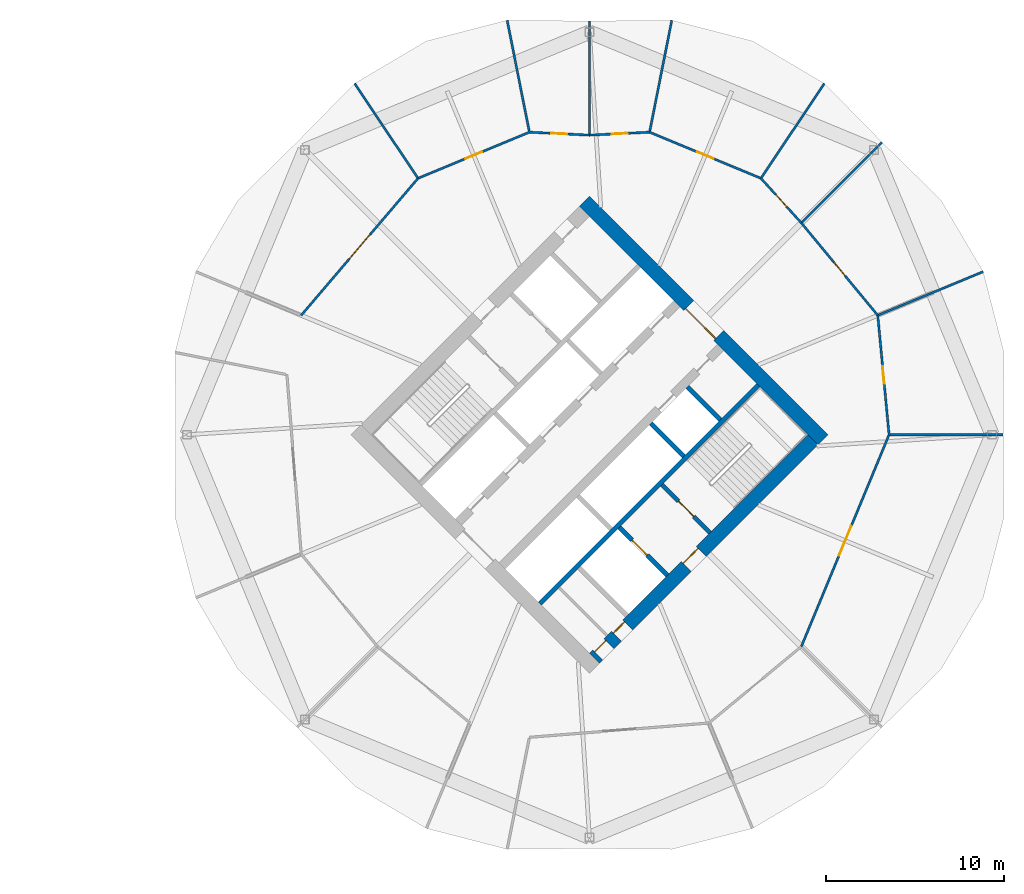
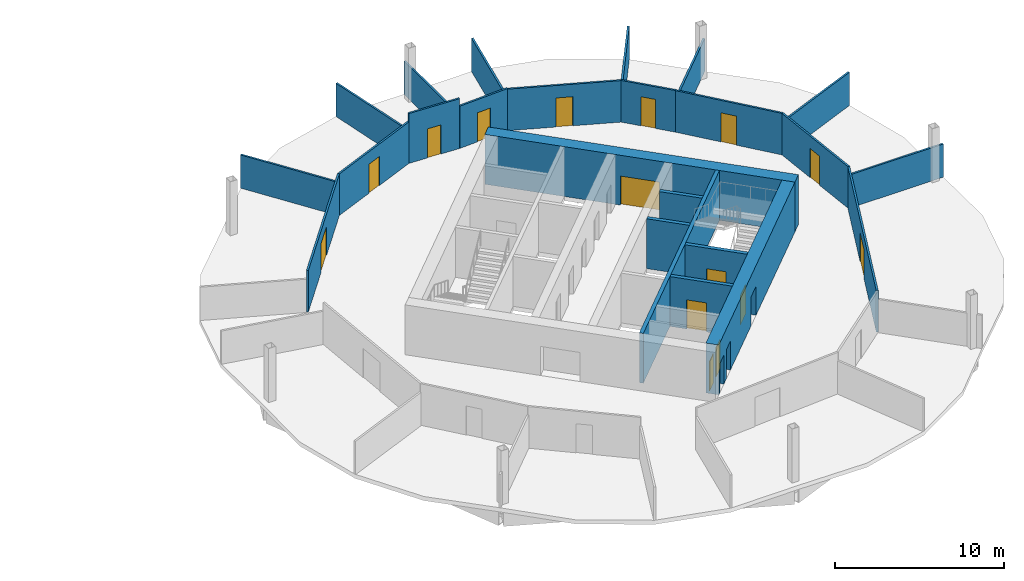
# One storey, part 7 of 9: 24 walls, 15 doors, 15 openings.
"""IFC4 building model written with IfcOpenShell, lengths in metres."""

from ifc_helpers import new_model, si_unit, direction, frame, frame_2d, origin, place, context, subcontext, project, spatial, rectangle, extrude, material, layer, layer_set, type_object, element, fill, save


model = new_model("IFC4")

# Units and contexts
model_context = context("Model", 3, precision=1e-05, world=origin(), true_north=direction((0.0, 1.0)))
body_context = subcontext(model_context, "Body", "Model", "MODEL_VIEW")
ifc_project = project(units=[si_unit("LENGTHUNIT", "METRE"), si_unit("AREAUNIT", "SQUARE_METRE"), si_unit("VOLUMEUNIT", "CUBIC_METRE"), si_unit("PLANEANGLEUNIT", "RADIAN"), si_unit("MASSUNIT", "GRAM", prefix="KILO")], contexts=[model_context])

# Site, building, storey
site_placement = place(None, origin())
site = spatial("IfcSite", under=ifc_project, at=site_placement, CompositionType="ELEMENT")
building_placement = place(site_placement, origin())
building = spatial("IfcBuilding", under=site, at=building_placement, Name="Ogive Gate Towers", CompositionType="ELEMENT")
storey_placement = place(building_placement, frame((0.0, 0.0, 84.0)))
storey = spatial("IfcBuildingStorey", under=building, at=storey_placement, Name="L19", CompositionType="ELEMENT", Elevation=84.0)

# Wall, openings, doors
ifc_material_1 = material(Name="Concrete C60/75", Category="concrete")
ifc_layer_1 = layer(ifc_material_1, 0.800048828125)
ifc_layer_set_1 = layer_set([ifc_layer_1], Name="Core wall 800 mm")
wall_type_1 = type_object("IfcWallType", Name="Core wall 800 mm", PredefinedType="SHEAR", material=ifc_layer_set_1)
wall_1_placement = place(storey_placement, frame((36.28271484375, -12.58642578125, 0.0), z_axis=(0.0, 0.0, 1.0), x_axis=(0.707106781187, 0.707106781187, 0.0)))
wall_1 = element("IfcWall", 1, at=wall_1_placement, inside=storey, type_object=wall_type_1, Name="T2 L19 Core wall 800 mm", PredefinedType="SHEAR", context=body_context, shape_type="SweptSolid", body=[
    extrude(rectangle(XDim=17.400146484375, YDim=0.800048828125, at=frame_2d((8.7001953125, 0.0))), origin(), (0.0, 0.0, 1.0), 3.60009765625),
])
opening_1_placement = place(wall_1_placement, frame((7.300048828125, 0.0, 0.0)))
opening_1 = element("IfcOpeningElement", 2, at=opening_1_placement, cuts=wall_1, Name="Opening KD-T2-L19-16", PredefinedType="OPENING", context=body_context, shape_type="SweptSolid", body=[
    extrude(rectangle(XDim=1.199951171875, YDim=2.10009765625, at=frame_2d((0.60009765625, 1.050048828125))), frame((0.0, 0.41015625, 0.0), z_axis=(0.0, -1.0, 0.0), x_axis=(1.0, 0.0, 0.0)), (0.0, 0.0, 1.0), 0.820068359375),
])
opening_2_placement = place(wall_1_placement, frame((0.25, 0.0, 0.0)))
opening_2 = element("IfcOpeningElement", 3, at=opening_2_placement, cuts=wall_1, Name="Opening KD-T2-L19-18", PredefinedType="OPENING", context=body_context, shape_type="SweptSolid", body=[
    extrude(rectangle(XDim=0.89990234375, YDim=2.10009765625, at=frame_2d((0.449951171875, 1.050048828125))), frame((0.0, 0.41015625, 0.0), z_axis=(0.0, -1.0, 0.0), x_axis=(1.0, 0.0, 0.0)), (0.0, 0.0, 1.0), 0.820068359375),
])
opening_3_placement = place(wall_1_placement, frame((1.75, 0.0, 0.0)))
opening_3 = element("IfcOpeningElement", 4, at=opening_3_placement, cuts=wall_1, Name="Opening KD-T2-L19-19", PredefinedType="OPENING", context=body_context, shape_type="SweptSolid", body=[
    extrude(rectangle(XDim=0.89990234375, YDim=2.10009765625, at=frame_2d((0.449951171875, 1.050048828125))), frame((0.0, 0.41015625, 0.0), z_axis=(0.0, -1.0, 0.0), x_axis=(1.0, 0.0, 0.0)), (0.0, 0.0, 1.0), 0.820068359375),
])
ifc_material_2 = material(Name="Timber door", Category="wood")
door_type_1 = type_object("IfcDoorType", Name="Core WC door 900 x 2100", OperationType="NOTDEFINED", PredefinedType="DOOR", material=ifc_material_2)
door_1_placement = place(opening_2_placement, origin())
door_1 = element("IfcDoor", 5, at=door_1_placement, inside=storey, type_object=door_type_1, Name="T2 L19 Core door", OperationType="SINGLE_SWING_LEFT", OverallHeight=2.10009765625, OverallWidth=0.89990234375, PredefinedType="DOOR", context=body_context, shape_type="SweptSolid", body=[
    extrude(rectangle(XDim=0.89990234375, YDim=2.10009765625, at=frame_2d((0.449951171875, 1.050048828125))), frame((0.0, 0.27490234375, 0.0), z_axis=(0.0, -1.0, 0.0), x_axis=(1.0, 0.0, 0.0)), (0.0, 0.0, 1.0), 0.050048828125),
])
fill(opening_2, door_1)
door_2_placement = place(opening_3_placement, origin())
door_2 = element("IfcDoor", 6, at=door_2_placement, inside=storey, type_object=door_type_1, Name="T2 L19 Core door", OperationType="SINGLE_SWING_RIGHT", OverallHeight=2.10009765625, OverallWidth=0.89990234375, PredefinedType="DOOR", context=body_context, shape_type="SweptSolid", body=[
    extrude(rectangle(XDim=0.89990234375, YDim=2.10009765625, at=frame_2d((0.449951171875, 1.050048828125))), frame((0.0, 0.27490234375, 0.0), z_axis=(0.0, -1.0, 0.0), x_axis=(1.0, 0.0, 0.0)), (0.0, 0.0, 1.0), 0.050048828125),
])
fill(opening_3, door_2)
ifc_material_3 = material(Name="Steel fire door", Category="steel")
door_type_2 = type_object("IfcDoorType", Name="Core door FD60S 1200 x 2100", OperationType="NOTDEFINED", PredefinedType="DOOR", material=ifc_material_3)
door_3_placement = place(opening_1_placement, origin())
door_3 = element("IfcDoor", 7, at=door_3_placement, inside=storey, type_object=door_type_2, Name="T2 L19 Fire-fighting lobby door", OperationType="SINGLE_SWING_LEFT", OverallHeight=2.10009765625, OverallWidth=1.199951171875, PredefinedType="DOOR", context=body_context, shape_type="SweptSolid", body=[
    extrude(rectangle(XDim=1.199951171875, YDim=2.10009765625, at=frame_2d((0.60009765625, 1.050048828125))), frame((0.0, 0.27490234375, 0.0), z_axis=(0.0, -1.0, 0.0), x_axis=(1.0, 0.0, 0.0)), (0.0, 0.0, 1.0), 0.050048828125),
])
fill(opening_1, door_3)

# Wall, opening, door
wall_2_placement = place(storey_placement, frame((49.152099609375, -0.28271484375, 0.0), z_axis=(0.0, 0.0, 1.0), x_axis=(-0.707106781187, 0.707106781187, 0.0)))
wall_2 = element("IfcWall", 8, at=wall_2_placement, inside=storey, type_object=wall_type_1, Name="T2 L19 Core wall 800 mm", PredefinedType="SHEAR", context=body_context, shape_type="SweptSolid", body=[
    extrude(rectangle(XDim=18.999755859375, YDim=0.800048828125, at=frame_2d((9.5, 0.0))), origin(), (0.0, 0.0, 1.0), 3.60009765625),
])
opening_4_placement = place(wall_2_placement, frame((8.300048828125, 0.0, 0.0)))
opening_4 = element("IfcOpeningElement", 9, at=opening_4_placement, cuts=wall_2, Name="Opening KD-T2-L19-02", PredefinedType="OPENING", context=body_context, shape_type="SweptSolid", body=[
    extrude(rectangle(XDim=2.39990234375, YDim=2.10009765625, at=frame_2d((1.199951171875, 1.050048828125))), frame((0.0, 0.41015625, 0.0), z_axis=(0.0, -1.0, 0.0), x_axis=(1.0, 0.0, 0.0)), (0.0, 0.0, 1.0), 0.820068359375),
])
door_type_3 = type_object("IfcDoorType", Name="Core double door FD60S 2400 x 2100", OperationType="DOUBLE_DOOR_SINGLE_SWING", PredefinedType="DOOR", material=ifc_material_3)
door_4_placement = place(opening_4_placement, origin())
door_4 = element("IfcDoor", 10, at=door_4_placement, inside=storey, type_object=door_type_3, Name="T2 L19 Core door double", OperationType="DOUBLE_DOOR_SINGLE_SWING", OverallHeight=2.10009765625, OverallWidth=2.39990234375, PredefinedType="DOOR", context=body_context, shape_type="SweptSolid", body=[
    extrude(rectangle(XDim=2.39990234375, YDim=2.10009765625, at=frame_2d((1.199951171875, 1.050048828125))), frame((0.0, 0.27490234375, 0.0), z_axis=(0.0, -1.0, 0.0), x_axis=(1.0, 0.0, 0.0)), (0.0, 0.0, 1.0), 0.050048828125),
])
fill(opening_4, door_4)

# Walls
ifc_material_4 = material(Name="Gypsum board partition")
ifc_layer_2 = layer(ifc_material_4, 0.125)
ifc_layer_set_2 = layer_set([ifc_layer_2], Name="Partition 125")
wall_type_2 = type_object("IfcWallType", Name="Partition 125", PredefinedType="PARTITIONING", material=ifc_layer_set_2)
for number, where, z_axis, x_axis, name in (
    (11, (59.299072265625, 0.0, 0.0), (0.0, 0.0, 1.0), (-1.0, 0.0, 0.0), "Partition T2-L19-001"),
    (12, (58.173095703125, 9.184326171875, 0.0), (0.0, 0.0, 1.0), (-0.923885020089, -0.382670183912, 0.0), "Partition T2-L19-002"),
    (13, (52.474853515625, 16.474853515625, 0.0), (0.0, 0.0, 1.0), (-0.707106781187, -0.707106781187, 0.0), "Partition T2-L19-003"),
    (14, (49.228515625, 19.784423828125, 0.0), (0.0, 0.0, 1.0), (-0.555823674739, -0.831300212077, 0.0), "Partition T2-L19-004"),
):
    element("IfcWall", number, at=place(storey_placement, frame(where, z_axis=z_axis, x_axis=x_axis)), inside=storey, type_object=wall_type_2, Name=name, PredefinedType="PARTITIONING", context=body_context, shape_type="SweptSolid", body=[
        extrude(rectangle(XDim=6.365966796875, YDim=0.125, at=frame_2d((3.18310546875, 0.0))), origin(), (0.0, 0.0, 1.0), 2.39990234375),
    ])
wall_3_placement = place(storey_placement, frame((40.6357421875, 23.34375, 0.0), z_axis=(0.0, 0.0, 1.0), x_axis=(-0.1947883958, -0.980845288953, 0.0)))
element("IfcWall", 15, at=wall_3_placement, inside=storey, type_object=wall_type_2, Name="Partition T2-L19-005", PredefinedType="PARTITIONING", context=body_context, shape_type="SweptSolid", body=[
    extrude(rectangle(XDim=6.36572265625, YDim=0.125, at=frame_2d((3.182861328125, 0.0))), origin(), (0.0, 0.0, 1.0), 2.39990234375),
])
wall_4_placement = place(storey_placement, frame((36.0, 23.299072265625, 0.0), z_axis=(0.0, 0.0, 1.0), x_axis=(0.0, -1.0, 0.0)))
element("IfcWall", 16, at=wall_4_placement, inside=storey, type_object=wall_type_2, Name="Partition T2-L19-006", PredefinedType="PARTITIONING", context=body_context, shape_type="SweptSolid", body=[
    extrude(rectangle(XDim=6.365966796875, YDim=0.125, at=frame_2d((3.18310546875, 0.0))), origin(), (0.0, 0.0, 1.0), 2.39990234375),
])
wall_5_placement = place(storey_placement, frame((31.3642578125, 23.34375, 0.0), z_axis=(0.0, 0.0, 1.0), x_axis=(0.1947883958, -0.980845288953, 0.0)))
element("IfcWall", 17, at=wall_5_placement, inside=storey, type_object=wall_type_2, Name="Partition T2-L19-007", PredefinedType="PARTITIONING", context=body_context, shape_type="SweptSolid", body=[
    extrude(rectangle(XDim=6.36572265625, YDim=0.125, at=frame_2d((3.182861328125, 0.0))), origin(), (0.0, 0.0, 1.0), 2.39990234375),
])
wall_6_placement = place(storey_placement, frame((22.771484375, 19.784423828125, 0.0), z_axis=(0.0, 0.0, 1.0), x_axis=(0.555823674739, -0.831300212077, 0.0)))
element("IfcWall", 18, at=wall_6_placement, inside=storey, type_object=wall_type_2, Name="Partition T2-L19-008", PredefinedType="PARTITIONING", context=body_context, shape_type="SweptSolid", body=[
    extrude(rectangle(XDim=6.365966796875, YDim=0.125, at=frame_2d((3.18310546875, 0.0))), origin(), (0.0, 0.0, 1.0), 2.39990234375),
])

# Wall, opening, door
wall_7_placement = place(storey_placement, frame((47.92919921875, -11.92919921875, 0.0), z_axis=(0.0, 0.0, 1.0), x_axis=(0.382694679749, 0.923874873612, 0.0)))
wall_7 = element("IfcWall", 19, at=wall_7_placement, inside=storey, type_object=wall_type_2, Name="Partition T2-L19-022", PredefinedType="PARTITIONING", context=body_context, shape_type="SweptSolid", body=[
    extrude(rectangle(XDim=12.912109375, YDim=0.125, at=frame_2d((6.4560546875, 0.0))), origin(), (0.0, 0.0, 1.0), 3.0),
])
opening_5_placement = place(wall_7_placement, frame((5.555908203125, 0.0, 0.0)))
opening_5 = element("IfcOpeningElement", 20, at=opening_5_placement, cuts=wall_7, Name="Opening T2-L19-D06", PredefinedType="OPENING", context=body_context, shape_type="SweptSolid", body=[
    extrude(rectangle(XDim=1.800048828125, YDim=2.10009765625, at=frame_2d((0.89990234375, 1.050048828125))), frame((0.0, 0.072509765625, 0.0), z_axis=(0.0, -1.0, 0.0), x_axis=(1.0, 0.0, 0.0)), (0.0, 0.0, 1.0), 0.14501953125),
])
door_type_4 = type_object("IfcDoorType", Name="Door pair 1800", OperationType="NOTDEFINED", PredefinedType="DOOR", material=ifc_material_2)
door_5_placement = place(opening_5_placement, origin())
door_5 = element("IfcDoor", 21, at=door_5_placement, inside=storey, type_object=door_type_4, Name="Door T2-L19-D06", OperationType="DOUBLE_DOOR_DOUBLE_SWING", OverallHeight=2.10009765625, OverallWidth=1.800048828125, PredefinedType="DOOR", context=body_context, shape_type="SweptSolid", body=[
    extrude(rectangle(XDim=1.800048828125, YDim=2.10009765625, at=frame_2d((0.89990234375, 1.050048828125))), frame((0.0, 0.02490234375, 0.0), z_axis=(0.0, -1.0, 0.0), x_axis=(1.0, 0.0, 0.0)), (0.0, 0.0, 1.0), 0.050048828125),
])
fill(opening_5, door_5)

wall_8_placement = place(storey_placement, frame((52.87060546875, 0.0, 0.0), z_axis=(0.0, 0.0, 1.0), x_axis=(-0.09426665702, 0.995546984011, 0.0)))
wall_8 = element("IfcWall", 22, at=wall_8_placement, inside=storey, type_object=wall_type_2, Name="Partition T2-L19-023", PredefinedType="PARTITIONING", context=body_context, shape_type="SweptSolid", body=[
    extrude(rectangle(XDim=6.75439453125, YDim=0.125, at=frame_2d((3.377197265625, 0.0))), origin(), (0.0, 0.0, 1.0), 3.0),
])
opening_6_placement = place(wall_8_placement, frame((2.876953125, 0.0, 0.0)))
opening_6 = element("IfcOpeningElement", 23, at=opening_6_placement, cuts=wall_8, Name="Opening T2-L19-D07", PredefinedType="OPENING", context=body_context, shape_type="SweptSolid", body=[
    extrude(rectangle(XDim=1.0, YDim=2.10009765625, at=frame_2d((0.5, 1.050048828125))), frame((0.0, 0.072509765625, 0.0), z_axis=(0.0, -1.0, 0.0), x_axis=(1.0, 0.0, 0.0)), (0.0, 0.0, 1.0), 0.14501953125),
])
door_type_5 = type_object("IfcDoorType", Name="Door 1000", OperationType="NOTDEFINED", PredefinedType="DOOR", material=ifc_material_2)
door_6_placement = place(opening_6_placement, origin())
door_6 = element("IfcDoor", 24, at=door_6_placement, inside=storey, type_object=door_type_5, Name="Door T2-L19-D07", OperationType="SINGLE_SWING_LEFT", OverallHeight=2.10009765625, OverallWidth=1.0, PredefinedType="DOOR", context=body_context, shape_type="SweptSolid", body=[
    extrude(rectangle(XDim=1.0, YDim=2.10009765625, at=frame_2d((0.5, 1.050048828125))), frame((0.0, 0.02490234375, 0.0), z_axis=(0.0, -1.0, 0.0), x_axis=(1.0, 0.0, 0.0)), (0.0, 0.0, 1.0), 0.050048828125),
])
fill(opening_6, door_6)

wall_9_placement = place(storey_placement, frame((52.23388671875, 6.724365234375, 0.0), z_axis=(0.0, 0.0, 1.0), x_axis=(-0.63732504297, 0.77059508797, 0.0)))
wall_9 = element("IfcWall", 25, at=wall_9_placement, inside=storey, type_object=wall_type_2, Name="Partition T2-L19-024", PredefinedType="PARTITIONING", context=body_context, shape_type="SweptSolid", body=[
    extrude(rectangle(XDim=6.75439453125, YDim=0.125, at=frame_2d((3.377197265625, 0.0))), origin(), (0.0, 0.0, 1.0), 3.0),
])
opening_7_placement = place(wall_9_placement, frame((2.876953125, 0.0, 0.0)))
opening_7 = element("IfcOpeningElement", 26, at=opening_7_placement, cuts=wall_9, Name="Opening T2-L19-D08", PredefinedType="OPENING", context=body_context, shape_type="SweptSolid", body=[
    extrude(rectangle(XDim=1.0, YDim=2.10009765625, at=frame_2d((0.5, 1.050048828125))), frame((0.0, 0.072509765625, 0.0), z_axis=(0.0, -1.0, 0.0), x_axis=(1.0, 0.0, 0.0)), (0.0, 0.0, 1.0), 0.14501953125),
])
door_7_placement = place(opening_7_placement, origin())
door_7 = element("IfcDoor", 27, at=door_7_placement, inside=storey, type_object=door_type_5, Name="Door T2-L19-D08", OperationType="SINGLE_SWING_RIGHT", OverallHeight=2.10009765625, OverallWidth=1.0, PredefinedType="DOOR", context=body_context, shape_type="SweptSolid", body=[
    extrude(rectangle(XDim=1.0, YDim=2.10009765625, at=frame_2d((0.5, 1.050048828125))), frame((0.0, 0.02490234375, 0.0), z_axis=(0.0, -1.0, 0.0), x_axis=(1.0, 0.0, 0.0)), (0.0, 0.0, 1.0), 0.050048828125),
])
fill(opening_7, door_7)

wall_10_placement = place(storey_placement, frame((47.92919921875, 11.92919921875, 0.0), z_axis=(0.0, 0.0, 1.0), x_axis=(-0.671139730798, 0.741330871976, 0.0)))
wall_10 = element("IfcWall", 28, at=wall_10_placement, inside=storey, type_object=wall_type_2, Name="Partition T2-L19-025", PredefinedType="PARTITIONING", context=body_context, shape_type="SweptSolid", body=[
    extrude(rectangle(XDim=3.3876953125, YDim=0.125, at=frame_2d((1.69384765625, 0.0))), origin(), (0.0, 0.0, 1.0), 3.010009765625),
])
opening_8_placement = place(wall_10_placement, frame((1.243896484375, 0.0, 0.0)))
opening_8 = element("IfcOpeningElement", 29, at=opening_8_placement, cuts=wall_10, Name="Opening T2-L19-D09", PredefinedType="OPENING", context=body_context, shape_type="SweptSolid", body=[
    extrude(rectangle(XDim=0.89990234375, YDim=2.10009765625, at=frame_2d((0.449951171875, 1.050048828125))), frame((0.0, 0.072509765625, 0.0), z_axis=(0.0, -1.0, 0.0), x_axis=(1.0, 0.0, 0.0)), (0.0, 0.0, 1.0), 0.14501953125),
])
door_type_6 = type_object("IfcDoorType", Name="Door 900", OperationType="NOTDEFINED", PredefinedType="DOOR", material=ifc_material_2)
door_8_placement = place(opening_8_placement, origin())
door_8 = element("IfcDoor", 30, at=door_8_placement, inside=storey, type_object=door_type_6, Name="Door T2-L19-D09", OperationType="SINGLE_SWING_LEFT", OverallHeight=2.10009765625, OverallWidth=0.89990234375, PredefinedType="DOOR", context=body_context, shape_type="SweptSolid", body=[
    extrude(rectangle(XDim=0.89990234375, YDim=2.10009765625, at=frame_2d((0.449951171875, 1.050048828125))), frame((0.0, 0.02490234375, 0.0), z_axis=(0.0, -1.0, 0.0), x_axis=(1.0, 0.0, 0.0)), (0.0, 0.0, 1.0), 0.050048828125),
])
fill(opening_8, door_8)

wall_11_placement = place(storey_placement, frame((45.655517578125, 14.440673828125, 0.0), z_axis=(0.0, 0.0, 1.0), x_axis=(-0.923881394158, 0.382678937923, 0.0)))
wall_11 = element("IfcWall", 31, at=wall_11_placement, inside=storey, type_object=wall_type_2, Name="Partition T2-L19-026", PredefinedType="PARTITIONING", context=body_context, shape_type="SweptSolid", body=[
    extrude(rectangle(XDim=6.788818359375, YDim=0.125, at=frame_2d((3.39453125, 0.0))), origin(), (0.0, 0.0, 1.0), 3.0),
])
opening_9_placement = place(wall_11_placement, frame((2.89404296875, 0.0, 0.0)))
opening_9 = element("IfcOpeningElement", 32, at=opening_9_placement, cuts=wall_11, Name="Opening T2-L19-D10", PredefinedType="OPENING", context=body_context, shape_type="SweptSolid", body=[
    extrude(rectangle(XDim=1.0, YDim=2.10009765625, at=frame_2d((0.5, 1.050048828125))), frame((0.0, 0.072509765625, 0.0), z_axis=(0.0, -1.0, 0.0), x_axis=(1.0, 0.0, 0.0)), (0.0, 0.0, 1.0), 0.14501953125),
])
door_9_placement = place(opening_9_placement, origin())
door_9 = element("IfcDoor", 33, at=door_9_placement, inside=storey, type_object=door_type_5, Name="Door T2-L19-D10", OperationType="SINGLE_SWING_RIGHT", OverallHeight=2.10009765625, OverallWidth=1.0, PredefinedType="DOOR", context=body_context, shape_type="SweptSolid", body=[
    extrude(rectangle(XDim=1.0, YDim=2.10009765625, at=frame_2d((0.5, 1.050048828125))), frame((0.0, 0.02490234375, 0.0), z_axis=(0.0, -1.0, 0.0), x_axis=(1.0, 0.0, 0.0)), (0.0, 0.0, 1.0), 0.050048828125),
])
fill(opening_9, door_9)

wall_12_placement = place(storey_placement, frame((39.383544921875, 17.03857421875, 0.0), z_axis=(0.0, 0.0, 1.0), x_axis=(-0.998770067475, -0.04958177404, 0.0)))
wall_12 = element("IfcWall", 34, at=wall_12_placement, inside=storey, type_object=wall_type_2, Name="Partition T2-L19-027", PredefinedType="PARTITIONING", context=body_context, shape_type="SweptSolid", body=[
    extrude(rectangle(XDim=3.3876953125, YDim=0.125, at=frame_2d((1.69384765625, 0.0))), origin(), (0.0, 0.0, 1.0), 3.050048828125),
])
opening_10_placement = place(wall_12_placement, frame((1.243896484375, 0.0, 0.0)))
opening_10 = element("IfcOpeningElement", 35, at=opening_10_placement, cuts=wall_12, Name="Opening T2-L19-D11", PredefinedType="OPENING", context=body_context, shape_type="SweptSolid", body=[
    extrude(rectangle(XDim=0.89990234375, YDim=2.10009765625, at=frame_2d((0.449951171875, 1.050048828125))), frame((0.0, 0.072509765625, 0.0), z_axis=(0.0, -1.0, 0.0), x_axis=(1.0, 0.0, 0.0)), (0.0, 0.0, 1.0), 0.14501953125),
])
door_10_placement = place(opening_10_placement, origin())
door_10 = element("IfcDoor", 36, at=door_10_placement, inside=storey, type_object=door_type_6, Name="Door T2-L19-D11", OperationType="SINGLE_SWING_LEFT", OverallHeight=2.10009765625, OverallWidth=0.89990234375, PredefinedType="DOOR", context=body_context, shape_type="SweptSolid", body=[
    extrude(rectangle(XDim=0.89990234375, YDim=2.10009765625, at=frame_2d((0.449951171875, 1.050048828125))), frame((0.0, 0.02490234375, 0.0), z_axis=(0.0, -1.0, 0.0), x_axis=(1.0, 0.0, 0.0)), (0.0, 0.0, 1.0), 0.050048828125),
])
fill(opening_10, door_10)

wall_13_placement = place(storey_placement, frame((36.0, 16.87060546875, 0.0), z_axis=(0.0, 0.0, 1.0), x_axis=(-0.998770067475, 0.04958177404, 0.0)))
wall_13 = element("IfcWall", 37, at=wall_13_placement, inside=storey, type_object=wall_type_2, Name="Partition T2-L19-028", PredefinedType="PARTITIONING", context=body_context, shape_type="SweptSolid", body=[
    extrude(rectangle(XDim=3.3876953125, YDim=0.125, at=frame_2d((1.69384765625, 0.0))), origin(), (0.0, 0.0, 1.0), 3.60009765625),
])
opening_11_placement = place(wall_13_placement, frame((1.243896484375, 0.0, 0.0)))
opening_11 = element("IfcOpeningElement", 38, at=opening_11_placement, cuts=wall_13, Name="Opening T2-L19-D12", PredefinedType="OPENING", context=body_context, shape_type="SweptSolid", body=[
    extrude(rectangle(XDim=0.89990234375, YDim=2.10009765625, at=frame_2d((0.449951171875, 1.050048828125))), frame((0.0, 0.072509765625, 0.0), z_axis=(0.0, -1.0, 0.0), x_axis=(1.0, 0.0, 0.0)), (0.0, 0.0, 1.0), 0.14501953125),
])
door_11_placement = place(opening_11_placement, origin())
door_11 = element("IfcDoor", 39, at=door_11_placement, inside=storey, type_object=door_type_6, Name="Door T2-L19-D12", OperationType="SINGLE_SWING_LEFT", OverallHeight=2.10009765625, OverallWidth=0.89990234375, PredefinedType="DOOR", context=body_context, shape_type="SweptSolid", body=[
    extrude(rectangle(XDim=0.89990234375, YDim=2.10009765625, at=frame_2d((0.449951171875, 1.050048828125))), frame((0.0, 0.02490234375, 0.0), z_axis=(0.0, -1.0, 0.0), x_axis=(1.0, 0.0, 0.0)), (0.0, 0.0, 1.0), 0.050048828125),
])
fill(opening_11, door_11)

wall_14_placement = place(storey_placement, frame((32.616455078125, 17.03857421875, 0.0), z_axis=(0.0, 0.0, 1.0), x_axis=(-0.923881394158, -0.382678937923, 0.0)))
wall_14 = element("IfcWall", 40, at=wall_14_placement, inside=storey, type_object=wall_type_2, Name="Partition T2-L19-029", PredefinedType="PARTITIONING", context=body_context, shape_type="SweptSolid", body=[
    extrude(rectangle(XDim=6.788818359375, YDim=0.125, at=frame_2d((3.39453125, 0.0))), origin(), (0.0, 0.0, 1.0), 3.0),
])
opening_12_placement = place(wall_14_placement, frame((2.89404296875, 0.0, 0.0)))
opening_12 = element("IfcOpeningElement", 41, at=opening_12_placement, cuts=wall_14, Name="Opening T2-L19-D13", PredefinedType="OPENING", context=body_context, shape_type="SweptSolid", body=[
    extrude(rectangle(XDim=1.0, YDim=2.10009765625, at=frame_2d((0.5, 1.050048828125))), frame((0.0, 0.072509765625, 0.0), z_axis=(0.0, -1.0, 0.0), x_axis=(1.0, 0.0, 0.0)), (0.0, 0.0, 1.0), 0.14501953125),
])
door_12_placement = place(opening_12_placement, origin())
door_12 = element("IfcDoor", 42, at=door_12_placement, inside=storey, type_object=door_type_5, Name="Door T2-L19-D13", OperationType="SINGLE_SWING_LEFT", OverallHeight=2.10009765625, OverallWidth=1.0, PredefinedType="DOOR", context=body_context, shape_type="SweptSolid", body=[
    extrude(rectangle(XDim=1.0, YDim=2.10009765625, at=frame_2d((0.5, 1.050048828125))), frame((0.0, 0.02490234375, 0.0), z_axis=(0.0, -1.0, 0.0), x_axis=(1.0, 0.0, 0.0)), (0.0, 0.0, 1.0), 0.050048828125),
])
fill(opening_12, door_12)

wall_15_placement = place(storey_placement, frame((26.344482421875, 14.440673828125, 0.0), z_axis=(0.0, 0.0, 1.0), x_axis=(-0.648764578555, -0.760989173124, 0.0)))
wall_15 = element("IfcWall", 43, at=wall_15_placement, inside=storey, type_object=wall_type_2, Name="Partition T2-L19-030", PredefinedType="PARTITIONING", context=body_context, shape_type="SweptSolid", body=[
    extrude(rectangle(XDim=10.139892578125, YDim=0.125, at=frame_2d((5.06982421875, 0.0))), origin(), (0.0, 0.0, 1.0), 3.0),
])
opening_13_placement = place(wall_15_placement, frame((4.169921875, 0.0, 0.0)))
opening_13 = element("IfcOpeningElement", 44, at=opening_13_placement, cuts=wall_15, Name="Opening T2-L19-D14", PredefinedType="OPENING", context=body_context, shape_type="SweptSolid", body=[
    extrude(rectangle(XDim=1.800048828125, YDim=2.10009765625, at=frame_2d((0.89990234375, 1.050048828125))), frame((0.0, 0.072509765625, 0.0), z_axis=(0.0, -1.0, 0.0), x_axis=(1.0, 0.0, 0.0)), (0.0, 0.0, 1.0), 0.14501953125),
])
door_13_placement = place(opening_13_placement, origin())
door_13 = element("IfcDoor", 45, at=door_13_placement, inside=storey, type_object=door_type_4, Name="Door T2-L19-D14", OperationType="DOUBLE_DOOR_DOUBLE_SWING", OverallHeight=2.10009765625, OverallWidth=1.800048828125, PredefinedType="DOOR", context=body_context, shape_type="SweptSolid", body=[
    extrude(rectangle(XDim=1.800048828125, YDim=2.10009765625, at=frame_2d((0.89990234375, 1.050048828125))), frame((0.0, 0.02490234375, 0.0), z_axis=(0.0, -1.0, 0.0), x_axis=(1.0, 0.0, 0.0)), (0.0, 0.0, 1.0), 0.050048828125),
])
fill(opening_13, door_13)

# Wall
ifc_layer_3 = layer(ifc_material_1, 0.25)
ifc_layer_set_3 = layer_set([ifc_layer_3], Name="Shaft wall 250 mm")
wall_type_3 = type_object("IfcWallType", Name="Shaft wall 250 mm", PredefinedType="SHEAR", material=ifc_layer_set_3)
wall_16_placement = place(storey_placement, frame((33.206787109375, -9.510498046875, 0.0), z_axis=(0.0, 0.0, 1.0), x_axis=(0.707106781187, 0.707106781187, 0.0)))
element("IfcWall", 46, at=wall_16_placement, inside=storey, type_object=wall_type_3, Name="T2 L19 Shaft wall 250 mm", PredefinedType="SHEAR", context=body_context, shape_type="SweptSolid", body=[
    extrude(rectangle(XDim=17.400146484375, YDim=0.25, at=frame_2d((8.7001953125, 0.0))), origin(), (0.0, 0.0, 1.0), 3.60009765625),
])

# Wall, opening, door
wall_17_placement = place(storey_placement, frame((40.384033203125, -7.919677734375, 0.0), z_axis=(0.0, 0.0, 1.0), x_axis=(-0.707074866995, 0.707138693938, 0.0)))
wall_17 = element("IfcWall", 47, at=wall_17_placement, inside=storey, type_object=wall_type_3, Name="T2 L19 Shaft wall 250 mm", PredefinedType="SHEAR", context=body_context, shape_type="SweptSolid", body=[
    extrude(rectangle(XDim=3.824951171875, YDim=0.25, at=frame_2d((1.91259765625, 0.0))), origin(), (0.0, 0.0, 1.0), 3.60009765625),
])
opening_14_placement = place(wall_17_placement, frame((1.60009765625, 0.0, 0.0)))
opening_14 = element("IfcOpeningElement", 48, at=opening_14_placement, cuts=wall_17, Name="Opening LD-T2-L19-11", PredefinedType="OPENING", context=body_context, shape_type="SweptSolid", body=[
    extrude(rectangle(XDim=1.199951171875, YDim=2.10009765625, at=frame_2d((0.60009765625, 1.050048828125))), frame((0.0, 0.135009765625, 0.0), z_axis=(0.0, -1.0, 0.0), x_axis=(1.0, 0.0, 0.0)), (0.0, 0.0, 1.0), 0.27001953125),
])
ifc_material_5 = material(Name="Stainless steel landing door", Category="steel")
door_type_7 = type_object("IfcDoorType", Name="Landing door 1200 x 2100", OperationType="SLIDING_TO_LEFT", PredefinedType="DOOR", material=ifc_material_5)
door_14_placement = place(opening_14_placement, origin())
door_14 = element("IfcDoor", 49, at=door_14_placement, inside=storey, type_object=door_type_7, Name="T2 L19 Lift landing door FF2", OperationType="SLIDING_TO_LEFT", OverallHeight=2.10009765625, OverallWidth=1.199951171875, PredefinedType="DOOR", context=body_context, shape_type="SweptSolid", body=[
    extrude(rectangle(XDim=1.199951171875, YDim=2.10009765625, at=frame_2d((0.60009765625, 1.050048828125))), frame((0.0, 0.02490234375, 0.0), z_axis=(0.0, -1.0, 0.0), x_axis=(1.0, 0.0, 0.0)), (0.0, 0.0, 1.0), 0.050048828125),
])
fill(opening_14, door_14)

wall_18_placement = place(storey_placement, frame((42.7880859375, -5.515380859375, 0.0), z_axis=(0.0, 0.0, 1.0), x_axis=(-0.707106781187, 0.707106781187, 0.0)))
wall_18 = element("IfcWall", 50, at=wall_18_placement, inside=storey, type_object=wall_type_3, Name="T2 L19 Shaft wall 250 mm", PredefinedType="SHEAR", context=body_context, shape_type="SweptSolid", body=[
    extrude(rectangle(XDim=3.824951171875, YDim=0.25, at=frame_2d((1.91259765625, 0.0))), origin(), (0.0, 0.0, 1.0), 3.60009765625),
])
opening_15_placement = place(wall_18_placement, frame((1.300048828125, 0.0, 0.0)))
opening_15 = element("IfcOpeningElement", 51, at=opening_15_placement, cuts=wall_18, Name="Opening KD-T2-L19-14", PredefinedType="OPENING", context=body_context, shape_type="SweptSolid", body=[
    extrude(rectangle(XDim=1.199951171875, YDim=2.10009765625, at=frame_2d((0.60009765625, 1.050048828125))), frame((0.0, 0.135009765625, 0.0), z_axis=(0.0, -1.0, 0.0), x_axis=(1.0, 0.0, 0.0)), (0.0, 0.0, 1.0), 0.27001953125),
])
door_15_placement = place(opening_15_placement, origin())
door_15 = element("IfcDoor", 52, at=door_15_placement, inside=storey, type_object=door_type_2, Name="T2 L19 Stair door", OperationType="SINGLE_SWING_LEFT", OverallHeight=2.10009765625, OverallWidth=1.199951171875, PredefinedType="DOOR", context=body_context, shape_type="SweptSolid", body=[
    extrude(rectangle(XDim=1.199951171875, YDim=2.10009765625, at=frame_2d((0.60009765625, 1.050048828125))), frame((0.0, 0.02490234375, 0.0), z_axis=(0.0, -1.0, 0.0), x_axis=(1.0, 0.0, 0.0)), (0.0, 0.0, 1.0), 0.050048828125),
])
fill(opening_15, door_15)

# Walls
for number, where, z_axis, x_axis, name in (
    (53, (41.321044921875, -1.2197265625, 0.0), (0.0, 0.0, 1.0), (-0.707106781187, 0.707106781187, 0.0), "T2 L19 Shaft wall 250 mm"),
    (54, (43.37158203125, 0.830810546875, 0.0), (0.0, 0.0, 1.0), (-0.707106781187, 0.707106781187, 0.0), "T2 L19 Shaft wall 250 mm"),
):
    element("IfcWall", number, at=place(storey_placement, frame(where, z_axis=z_axis, x_axis=x_axis)), inside=storey, type_object=wall_type_3, Name=name, PredefinedType="SHEAR", context=body_context, shape_type="SweptSolid", body=[
        extrude(rectangle(XDim=2.625, YDim=0.25, at=frame_2d((1.3125, 0.0))), origin(), (0.0, 0.0, 1.0), 3.60009765625),
    ])

save(model, "model.ifc")
